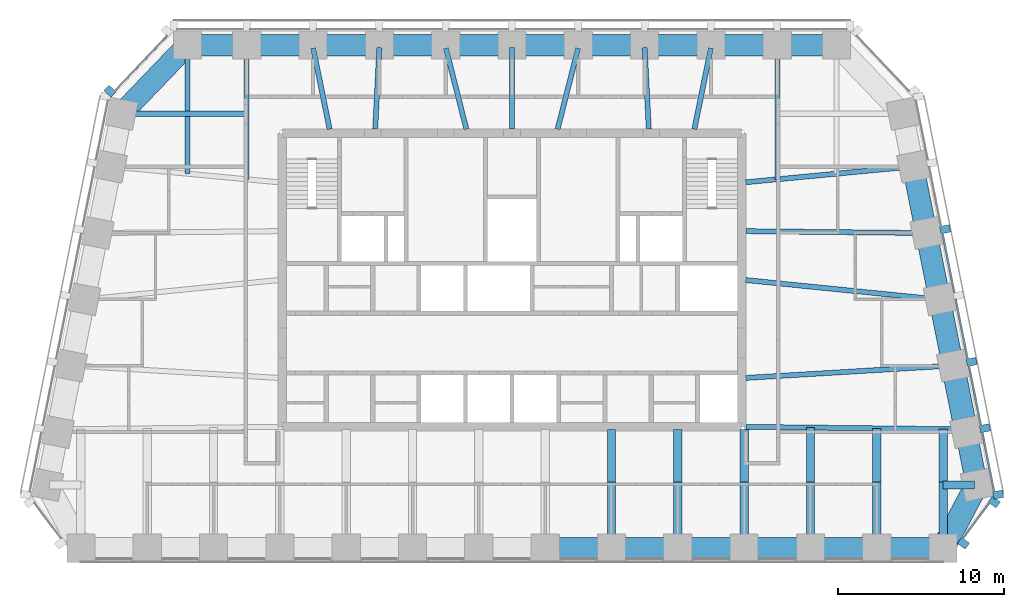
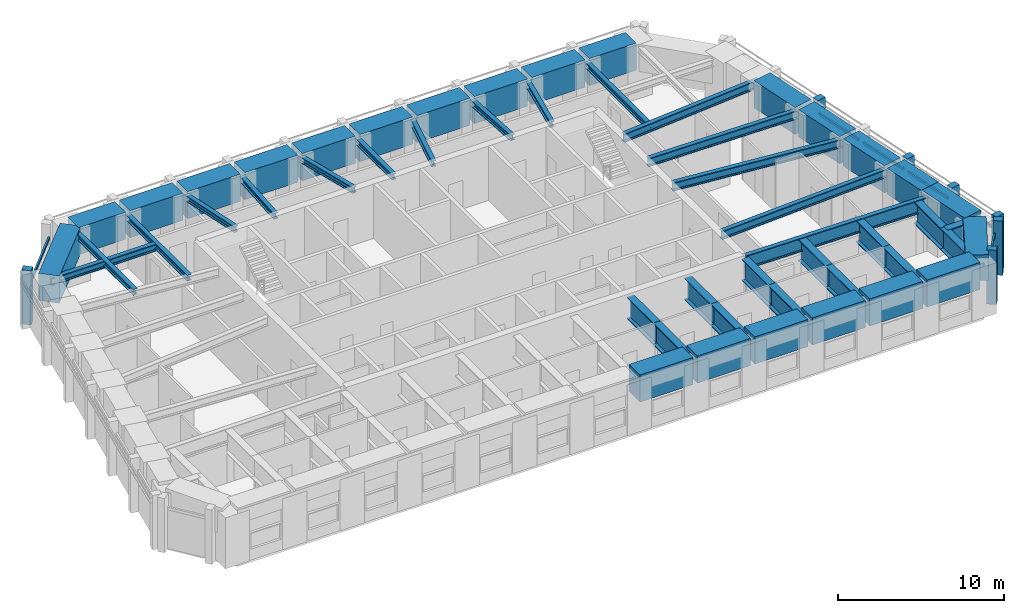
# One storey, part 2 of 12: 52 beams, 13 members, 3 elements without a shape of their own.
"""IFC4 building model written with IfcOpenShell, lengths in metres."""

from ifc_helpers import new_model, si_unit, direction, frame, origin, origin_2d, place, context, subcontext, project, spatial, rectangle, i_section, extrude, material, material_profile, profile_set, type_object, element, aggregate, save


model = new_model("IFC4")

# Units and contexts
model_context = context("Model", 3, precision=1e-05, world=origin(), true_north=direction((0.0, 1.0)))
body_context = subcontext(model_context, "Body", "Model", "MODEL_VIEW")
ifc_project = project(units=[si_unit("LENGTHUNIT", "METRE"), si_unit("AREAUNIT", "SQUARE_METRE"), si_unit("VOLUMEUNIT", "CUBIC_METRE"), si_unit("PLANEANGLEUNIT", "RADIAN"), si_unit("MASSUNIT", "GRAM", prefix="KILO")], contexts=[model_context])

# Site, building, storey
site_placement = place(None, origin())
site = spatial("IfcSite", under=ifc_project, at=site_placement, CompositionType="ELEMENT")
building_placement = place(site_placement, origin())
building = spatial("IfcBuilding", under=site, at=building_placement, Name="Isbrekke Arena Tower", CompositionType="ELEMENT")
storey_placement = place(building_placement, frame((0.0, 0.0, 304.0)))
storey = spatial("IfcBuildingStorey", under=building, at=storey_placement, Name="L71", CompositionType="ELEMENT", Elevation=304.0)

# Beams
ifc_material_1 = material(Name="Steel S355", Category="steel")
ifc_material_profile_1 = material_profile(ifc_material_1, i_section(OverallWidth=0.304931640625, OverallDepth=0.6201171875, WebThickness=0.02099609375, FlangeThickness=0.0400390625, FilletRadius=0.027099609375, at=origin_2d()), Name="HEM 600")
ifc_profile_set_1 = profile_set([ifc_material_profile_1], Name="Steel S355")
beam_type_1 = type_object("IfcBeamType", Name="B4 HEM 600", PredefinedType="BEAM", material=ifc_profile_set_1)
beam_1_placement = place(storey_placement, frame((26.431884765625, 9.837646484375, 3.5400390625), z_axis=(-0.998216240514, -0.059702070095, 0.0), x_axis=(0.059702070095, -0.998216240514, 0.0)))
element("IfcBeam", 1, at=beam_1_placement, inside=storey, type_object=beam_type_1, Name="B4 beam E-E03 L71", PredefinedType="BEAM", context=body_context, shape_type="SweptSolid", body=[
    extrude(i_section(OverallWidth=0.304931640625, OverallDepth=0.6201171875, WebThickness=0.02099609375, FlangeThickness=0.0400390625, FilletRadius=0.027099609375, at=origin_2d()), origin(), (0.0, 0.0, 1.0), 12.353759765625),
])
beam_2_placement = place(storey_placement, frame((25.625732421875, 13.83984375, 3.5400390625), z_axis=(-0.994972081505, 0.100152668587, 0.0), x_axis=(-0.100152668587, -0.994972081505, 0.0)))
element("IfcBeam", 2, at=beam_2_placement, inside=storey, type_object=beam_type_1, Name="B4 beam E-E04 L71", PredefinedType="BEAM", context=body_context, shape_type="SweptSolid", body=[
    extrude(i_section(OverallWidth=0.304931640625, OverallDepth=0.6201171875, WebThickness=0.02099609375, FlangeThickness=0.0400390625, FilletRadius=0.027099609375, at=origin_2d()), origin(), (0.0, 0.0, 1.0), 11.583984375),
])
beam_3_placement = place(storey_placement, frame((24.83935546875, 17.838134765625, 3.5400390625), z_axis=(-0.999945800258, 0.010411366203, 0.0), x_axis=(-0.010411366203, -0.999945800258, 0.0)))
element("IfcBeam", 3, at=beam_3_placement, inside=storey, type_object=beam_type_1, Name="B4 beam E-E05 L71", PredefinedType="BEAM", context=body_context, shape_type="SweptSolid", body=[
    extrude(i_section(OverallWidth=0.304931640625, OverallDepth=0.6201171875, WebThickness=0.02099609375, FlangeThickness=0.0400390625, FilletRadius=0.027099609375, at=origin_2d()), origin(), (0.0, 0.0, 1.0), 10.73974609375),
])
beam_4_placement = place(storey_placement, frame((24.02685546875, 21.8369140625, 3.5400390625), z_axis=(-0.995574576627, -0.093974796485, 0.0), x_axis=(0.093974796485, -0.995574576627, 0.0)))
element("IfcBeam", 4, at=beam_4_placement, inside=storey, type_object=beam_type_1, Name="B4 beam E-E06 L71", PredefinedType="BEAM", context=body_context, shape_type="SweptSolid", body=[
    extrude(i_section(OverallWidth=0.304931640625, OverallDepth=0.6201171875, WebThickness=0.02099609375, FlangeThickness=0.0400390625, FilletRadius=0.027099609375, at=origin_2d()), origin(), (0.0, 0.0, 1.0), 9.970947265625),
])
ifc_material_2 = material(Name="Steel S355", Category="steel")
ifc_material_profile_2 = material_profile(ifc_material_2, i_section(OverallWidth=0.305908203125, OverallDepth=0.52392578125, WebThickness=0.02099609375, FlangeThickness=0.0400390625, FilletRadius=0.027099609375, at=origin_2d()), Name="HEM 500")
ifc_profile_set_2 = profile_set([ifc_material_profile_2], Name="Steel S355")
beam_type_2 = type_object("IfcBeamType", Name="B5 HEM 500", PredefinedType="BEAM", material=ifc_profile_set_2)
beam_5_placement = place(storey_placement, frame((-23.40283203125, 25.029296875, 3.587890625), z_axis=(1.0, 0.0, 0.0), x_axis=(0.0, 1.0, 0.0)))
element("IfcBeam", 5, at=beam_5_placement, inside=storey, type_object=beam_type_2, Name="B5 beam E-W01 L71", PredefinedType="BEAM", context=body_context, shape_type="SweptSolid", body=[
    extrude(i_section(OverallWidth=0.305908203125, OverallDepth=0.52392578125, WebThickness=0.02099609375, FlangeThickness=0.0400390625, FilletRadius=0.027099609375, at=origin_2d()), origin(), (0.0, 0.0, 1.0), 7.40283203125),
])
ifc_material_3 = material(Name="Steel S355", Category="steel")
ifc_material_profile_3 = material_profile(ifc_material_3, i_section(OverallWidth=0.306884765625, OverallDepth=0.431884765625, WebThickness=0.02099609375, FlangeThickness=0.0400390625, FilletRadius=0.027099609375, at=origin_2d()), Name="HEM 400")
ifc_profile_set_3 = profile_set([ifc_material_profile_3], Name="Steel S355")
beam_type_3 = type_object("IfcBeamType", Name="B6 HEM 400", PredefinedType="BEAM", material=ifc_profile_set_3)
for number, where, z_axis, x_axis, name in (
    (6, (16.0, 29.02490234375, 3.634033203125), (0.0, -1.0, 0.0), (1.0, 0.0, 0.0), "B6 beam N-N02 L71"),
    (7, (-16.0, 29.02490234375, 3.634033203125), (0.0, -1.0, 0.0), (1.0, 0.0, 0.0), "B6 beam N-N10 L71"),
):
    element("IfcBeam", number, at=place(storey_placement, frame(where, z_axis=z_axis, x_axis=x_axis)), inside=storey, type_object=beam_type_3, Name=name, PredefinedType="BEAM", context=body_context, shape_type="SweptSolid", body=[
        extrude(i_section(OverallWidth=0.306884765625, OverallDepth=0.431884765625, WebThickness=0.02099609375, FlangeThickness=0.0400390625, FilletRadius=0.027099609375, at=origin_2d()), origin(), (0.0, 0.0, 1.0), 7.945556640625),
    ])
beam_6_placement = place(storey_placement, frame((-19.574951171875, 29.02490234375, 3.634033203125), z_axis=(0.0, -1.0, 0.0), x_axis=(1.0, 0.0, 0.0)))
element("IfcBeam", 8, at=beam_6_placement, inside=storey, type_object=beam_type_3, Name="B6 beam N-N11 L71", PredefinedType="BEAM", context=body_context, shape_type="SweptSolid", body=[
    extrude(i_section(OverallWidth=0.306884765625, OverallDepth=0.431884765625, WebThickness=0.02099609375, FlangeThickness=0.0400390625, FilletRadius=0.027099609375, at=origin_2d()), origin(), (0.0, 0.0, 1.0), 7.608154296875),
])
beam_7_placement = place(storey_placement, frame((11.993896484375, 28.9951171875, 3.634033203125), z_axis=(-0.198982177337, -0.980003108721, 0.0), x_axis=(0.980003108721, -0.198982177337, 0.0)))
element("IfcBeam", 9, at=beam_7_placement, inside=storey, type_object=beam_type_3, Name="B6 beam N-N03 L71", PredefinedType="BEAM", context=body_context, shape_type="SweptSolid", body=[
    extrude(i_section(OverallWidth=0.306884765625, OverallDepth=0.431884765625, WebThickness=0.02099609375, FlangeThickness=0.0400390625, FilletRadius=0.027099609375, at=origin_2d()), origin(), (0.0, 0.0, 1.0), 4.994873046875),
])
beam_8_placement = place(storey_placement, frame((8.00048828125, 29.017333984375, 3.634033203125), z_axis=(0.050677067868, -0.998715091902, 0.0), x_axis=(0.998715091902, 0.050677067868, 0.0)))
element("IfcBeam", 10, at=beam_8_placement, inside=storey, type_object=beam_type_3, Name="B6 beam N-N04 L71", PredefinedType="BEAM", context=body_context, shape_type="SweptSolid", body=[
    extrude(i_section(OverallWidth=0.306884765625, OverallDepth=0.431884765625, WebThickness=0.02099609375, FlangeThickness=0.0400390625, FilletRadius=0.027099609375, at=origin_2d()), origin(), (0.0, 0.0, 1.0), 4.923583984375),
])
beam_9_placement = place(storey_placement, frame((3.99072265625, 28.98828125, 3.634033203125), z_axis=(-0.246019579109, -0.969264858898, 0.0), x_axis=(0.969264858898, -0.246019579109, 0.0)))
element("IfcBeam", 11, at=beam_9_placement, inside=storey, type_object=beam_type_3, Name="B6 beam N-N05 L71", PredefinedType="BEAM", context=body_context, shape_type="SweptSolid", body=[
    extrude(i_section(OverallWidth=0.306884765625, OverallDepth=0.431884765625, WebThickness=0.02099609375, FlangeThickness=0.0400390625, FilletRadius=0.027099609375, at=origin_2d()), origin(), (0.0, 0.0, 1.0), 5.043212890625),
])
beam_10_placement = place(storey_placement, frame((0.0, 29.02490234375, 3.634033203125), z_axis=(0.0, -1.0, 0.0), x_axis=(1.0, 0.0, 0.0)))
element("IfcBeam", 12, at=beam_10_placement, inside=storey, type_object=beam_type_3, Name="B6 beam N-N06 L71", PredefinedType="BEAM", context=body_context, shape_type="SweptSolid", body=[
    extrude(i_section(OverallWidth=0.306884765625, OverallDepth=0.431884765625, WebThickness=0.02099609375, FlangeThickness=0.0400390625, FilletRadius=0.027099609375, at=origin_2d()), origin(), (0.0, 0.0, 1.0), 4.9248046875),
])
beam_11_placement = place(storey_placement, frame((-3.99072265625, 28.98828125, 3.634033203125), z_axis=(0.246019579109, -0.969264858898, 0.0), x_axis=(0.969264858898, 0.246019579109, 0.0)))
element("IfcBeam", 13, at=beam_11_placement, inside=storey, type_object=beam_type_3, Name="B6 beam N-N07 L71", PredefinedType="BEAM", context=body_context, shape_type="SweptSolid", body=[
    extrude(i_section(OverallWidth=0.306884765625, OverallDepth=0.431884765625, WebThickness=0.02099609375, FlangeThickness=0.0400390625, FilletRadius=0.027099609375, at=origin_2d()), origin(), (0.0, 0.0, 1.0), 5.043212890625),
])
beam_12_placement = place(storey_placement, frame((-8.00048828125, 29.017333984375, 3.634033203125), z_axis=(-0.050677067868, -0.998715091902, 0.0), x_axis=(0.998715091902, -0.050677067868, 0.0)))
element("IfcBeam", 14, at=beam_12_placement, inside=storey, type_object=beam_type_3, Name="B6 beam N-N08 L71", PredefinedType="BEAM", context=body_context, shape_type="SweptSolid", body=[
    extrude(i_section(OverallWidth=0.306884765625, OverallDepth=0.431884765625, WebThickness=0.02099609375, FlangeThickness=0.0400390625, FilletRadius=0.027099609375, at=origin_2d()), origin(), (0.0, 0.0, 1.0), 4.923583984375),
])
beam_13_placement = place(storey_placement, frame((-11.993896484375, 28.9951171875, 3.634033203125), z_axis=(0.198982177337, -0.980003108721, 0.0), x_axis=(0.980003108721, 0.198982177337, 0.0)))
element("IfcBeam", 15, at=beam_13_placement, inside=storey, type_object=beam_type_3, Name="B6 beam N-N09 L71", PredefinedType="BEAM", context=body_context, shape_type="SweptSolid", body=[
    extrude(i_section(OverallWidth=0.306884765625, OverallDepth=0.431884765625, WebThickness=0.02099609375, FlangeThickness=0.0400390625, FilletRadius=0.027099609375, at=origin_2d()), origin(), (0.0, 0.0, 1.0), 4.994873046875),
])

# Curtain wall, members
ifc_material_4 = material(Name="Glazed aluminium curtain wall", Category="aluminium")
curtain_wall_type = type_object("IfcCurtainWallType", Name="CWT TOWER CURTAIN WALL TOP ZONE", PredefinedType="USERDEFINED", material=ifc_material_4)
curtain_wall_1_placement = place(storey_placement, origin())
curtain_wall_1 = element("IfcCurtainWall", 16, at=curtain_wall_1_placement, inside=storey, type_object=curtain_wall_type, Name="CWT curtain wall L71-SE", ObjectType="TOWER CURTAIN WALL TOP ZONE", PredefinedType="USERDEFINED")
ifc_material_5 = material(Name="Copper-clad aluminium mullion", Category="aluminium")
ifc_material_profile_4 = material_profile(ifc_material_5, rectangle(XDim=0.449951171875, YDim=0.60009765625, at=origin_2d()), Name="PIER 450X600")
ifc_profile_set_4 = profile_set([ifc_material_profile_4], Name="Copper-clad aluminium mullion")
member_type_1 = type_object("IfcMemberType", Name="CWT-M PIER MULLION 450 x 600", PredefinedType="MULLION", material=ifc_profile_set_4)
member_1_placement = place(storey_placement, frame((27.222900390625, -0.869384765625, 0.0), z_axis=(0.0, 0.0, 1.0), x_axis=(0.600000000002, 0.799999999998, 0.0)))
member_1 = element("IfcMember", 17, at=member_1_placement, type_object=member_type_1, Name="CWT-M mullion 1", PredefinedType="MULLION", context=body_context, shape_type="SweptSolid", body=[
    extrude(rectangle(XDim=0.449951171875, YDim=0.60009765625, at=origin_2d()), origin(), (0.0, 0.0, 1.0), 4.0),
])
member_2_placement = place(storey_placement, frame((29.084716796875, 1.613037109375, 0.0), z_axis=(0.0, 0.0, 1.0), x_axis=(0.600000000002, 0.799999999998, 0.0)))
member_2 = element("IfcMember", 18, at=member_2_placement, type_object=member_type_1, Name="CWT-M mullion 2", PredefinedType="MULLION", context=body_context, shape_type="SweptSolid", body=[
    extrude(rectangle(XDim=0.449951171875, YDim=0.60009765625, at=origin_2d()), origin(), (0.0, 0.0, 1.0), 4.0),
])

curtain_wall_2_placement = place(storey_placement, origin())
curtain_wall_2 = element("IfcCurtainWall", 19, at=curtain_wall_2_placement, inside=storey, type_object=curtain_wall_type, Name="CWT curtain wall L71-E", ObjectType="TOWER CURTAIN WALL TOP ZONE", PredefinedType="USERDEFINED")
member_3_placement = place(storey_placement, frame((29.318603515625, 2.063720703125, 0.0), z_axis=(0.0, 0.0, 1.0), x_axis=(-0.196116135138, 0.980580675691, 0.0)))
member_3 = element("IfcMember", 20, at=member_3_placement, type_object=member_type_1, Name="CWT-M mullion 1", PredefinedType="MULLION", context=body_context, shape_type="SweptSolid", body=[
    extrude(rectangle(XDim=0.449951171875, YDim=0.60009765625, at=origin_2d()), origin(), (0.0, 0.0, 1.0), 4.0),
])
member_4_placement = place(storey_placement, frame((28.518798828125, 6.063720703125, 0.0), z_axis=(0.0, 0.0, 1.0), x_axis=(-0.196116135138, 0.980580675691, 0.0)))
member_4 = element("IfcMember", 21, at=member_4_placement, type_object=member_type_1, Name="CWT-M mullion 2", PredefinedType="MULLION", context=body_context, shape_type="SweptSolid", body=[
    extrude(rectangle(XDim=0.449951171875, YDim=0.60009765625, at=origin_2d()), origin(), (0.0, 0.0, 1.0), 4.0),
])
member_5_placement = place(storey_placement, frame((27.71875, 10.063720703125, 0.0), z_axis=(0.0, 0.0, 1.0), x_axis=(-0.196116135138, 0.980580675691, 0.0)))
member_5 = element("IfcMember", 22, at=member_5_placement, type_object=member_type_1, Name="CWT-M mullion 3", PredefinedType="MULLION", context=body_context, shape_type="SweptSolid", body=[
    extrude(rectangle(XDim=0.449951171875, YDim=0.60009765625, at=origin_2d()), origin(), (0.0, 0.0, 1.0), 4.0),
])
member_6_placement = place(storey_placement, frame((26.11865234375, 18.063720703125, 0.0), z_axis=(0.0, 0.0, 1.0), x_axis=(-0.196116135138, 0.980580675691, 0.0)))
member_6 = element("IfcMember", 23, at=member_6_placement, type_object=member_type_1, Name="CWT-M mullion 5", PredefinedType="MULLION", context=body_context, shape_type="SweptSolid", body=[
    extrude(rectangle(XDim=0.449951171875, YDim=0.60009765625, at=origin_2d()), origin(), (0.0, 0.0, 1.0), 4.0),
])

# Curtain wall, member
curtain_wall_3_placement = place(storey_placement, origin())
curtain_wall_3 = element("IfcCurtainWall", 24, at=curtain_wall_3_placement, inside=storey, type_object=curtain_wall_type, Name="CWT curtain wall L71-NW", ObjectType="TOWER CURTAIN WALL TOP ZONE", PredefinedType="USERDEFINED")
member_7_placement = place(storey_placement, frame((-24.243896484375, 26.389404296875, 0.0), z_axis=(0.0, 0.0, 1.0), x_axis=(-0.68874946192, -0.72499943359, 0.0)))
member_7 = element("IfcMember", 25, at=member_7_placement, type_object=member_type_1, Name="CWT-M mullion 2", PredefinedType="MULLION", context=body_context, shape_type="SweptSolid", body=[
    extrude(rectangle(XDim=0.449951171875, YDim=0.60009765625, at=origin_2d()), origin(), (0.0, 0.0, 1.0), 4.0),
])

# Member
ifc_material_6 = material(Name="Aluminium transom", Category="aluminium")
ifc_material_profile_5 = material_profile(ifc_material_6, rectangle(XDim=0.1201171875, YDim=0.199951171875, at=origin_2d()), Name="TRANSOM 120X200")
ifc_profile_set_5 = profile_set([ifc_material_profile_5], Name="Aluminium transom")
member_type_2 = type_object("IfcMemberType", Name="CWT-T TRANSOM 120 x 200", PredefinedType="USERDEFINED", material=ifc_profile_set_5)
member_8_placement = place(storey_placement, frame((27.197998046875, -0.5693359375, 3.0), z_axis=(0.600014724186, 0.799988956649, 0.0), x_axis=(-0.799988956649, 0.600014724186, 0.0)))
member_8 = element("IfcMember", 26, at=member_8_placement, type_object=member_type_2, Name="CWT-T transom 1", ObjectType="TRANSOM", PredefinedType="USERDEFINED", context=body_context, shape_type="SweptSolid", body=[
    extrude(rectangle(XDim=0.1201171875, YDim=0.199951171875, at=origin_2d()), origin(), (0.0, 0.0, 1.0), 2.65283203125),
])

aggregate(curtain_wall_1, [member_1, member_2, member_8])

member_9_placement = place(storey_placement, frame((29.078369140625, 2.2451171875, 3.0), z_axis=(-0.196090262229, 0.980585849918, 0.0), x_axis=(-0.980585849918, -0.196090262229, 0.0)))
member_9 = element("IfcMember", 27, at=member_9_placement, type_object=member_type_2, Name="CWT-T transom 1", ObjectType="TRANSOM", PredefinedType="USERDEFINED", context=body_context, shape_type="SweptSolid", body=[
    extrude(rectangle(XDim=0.1201171875, YDim=0.199951171875, at=origin_2d()), origin(), (0.0, 0.0, 1.0), 3.62939453125),
])

member_10_placement = place(storey_placement, frame((28.278564453125, 6.2451171875, 3.0), z_axis=(-0.196154943734, 0.980572913173, 0.0), x_axis=(-0.980572913173, -0.196154943734, 0.0)))
member_10 = element("IfcMember", 28, at=member_10_placement, type_object=member_type_2, Name="CWT-T transom 2", ObjectType="TRANSOM", PredefinedType="USERDEFINED", context=body_context, shape_type="SweptSolid", body=[
    extrude(rectangle(XDim=0.1201171875, YDim=0.199951171875, at=origin_2d()), origin(), (0.0, 0.0, 1.0), 3.62939453125),
])

member_11_placement = place(storey_placement, frame((27.478515625, 10.2451171875, 3.0), z_axis=(-0.196154943734, 0.980572913173, 0.0), x_axis=(-0.980572913173, -0.196154943734, 0.0)))
member_11 = element("IfcMember", 29, at=member_11_placement, type_object=member_type_2, Name="CWT-T transom 3", ObjectType="TRANSOM", PredefinedType="USERDEFINED", context=body_context, shape_type="SweptSolid", body=[
    extrude(rectangle(XDim=0.1201171875, YDim=0.199951171875, at=origin_2d()), origin(), (0.0, 0.0, 1.0), 3.62939453125),
])

member_12_placement = place(storey_placement, frame((26.678466796875, 14.2451171875, 3.0), z_axis=(-0.196090262229, 0.980585849918, 0.0), x_axis=(-0.980585849918, -0.196090262229, 0.0)))
member_12 = element("IfcMember", 30, at=member_12_placement, type_object=member_type_2, Name="CWT-T transom 4", ObjectType="TRANSOM", PredefinedType="USERDEFINED", context=body_context, shape_type="SweptSolid", body=[
    extrude(rectangle(XDim=0.1201171875, YDim=0.199951171875, at=origin_2d()), origin(), (0.0, 0.0, 1.0), 3.62939453125),
])

aggregate(curtain_wall_2, [member_3, member_4, member_5, member_6, member_9, member_10, member_11, member_12])

member_13_placement = place(storey_placement, frame((-20.80517578125, 29.71875, 3.0), z_axis=(-0.688739606035, -0.725008796552, 0.0), x_axis=(0.725008796552, -0.688739606035, 0.0)))
member_13 = element("IfcMember", 31, at=member_13_placement, type_object=member_type_2, Name="CWT-T transom 1", ObjectType="TRANSOM", PredefinedType="USERDEFINED", context=body_context, shape_type="SweptSolid", body=[
    extrude(rectangle(XDim=0.1201171875, YDim=0.199951171875, at=origin_2d()), origin(), (0.0, 0.0, 1.0), 4.55712890625),
])

aggregate(curtain_wall_3, [member_7, member_13])

# Beams
ifc_material_7 = material(Name="Steel S355", Category="steel")
ifc_material_profile_6 = material_profile(ifc_material_7, i_section(OverallWidth=0.302001953125, OverallDepth=1.008056640625, WebThickness=0.02099609375, FlangeThickness=0.0400390625, FilletRadius=0.030029296875, at=origin_2d()), Name="HEM 1000")
ifc_profile_set_6 = profile_set([ifc_material_profile_6], Name="Steel S355")
beam_type_4 = type_object("IfcBeamType", Name="G2 HEM 1000", PredefinedType="BEAM", material=ifc_profile_set_6)
beam_14_placement = place(storey_placement, frame((14.10009765625, 6.14990234375, 3.345947265625), z_axis=(0.999936387749, -0.011279204565, 0.0), x_axis=(0.011279204565, 0.999936387749, 0.0)))
element("IfcBeam", 32, at=beam_14_placement, inside=storey, type_object=beam_type_4, Name="G2 beam G2-E L71", PredefinedType="BEAM", context=body_context, shape_type="SweptSolid", body=[
    extrude(i_section(OverallWidth=0.302001953125, OverallDepth=1.008056640625, WebThickness=0.02099609375, FlangeThickness=0.0400390625, FilletRadius=0.030029296875, at=origin_2d()), origin(), (0.0, 0.0, 1.0), 13.2900390625),
])
ifc_material_8 = material(Name="Concrete B55 (C55/67)", Category="concrete")
ifc_material_profile_7 = material_profile(ifc_material_8, rectangle(XDim=1.300048828125, YDim=2.0, at=origin_2d()), Name="RC 1300x2000")
ifc_profile_set_7 = profile_set([ifc_material_profile_7], Name="Concrete B55 (C55/67)")
beam_type_5 = type_object("IfcBeamType", Name="SB4 RC 1300 x 2000", PredefinedType="SPANDREL", material=ifc_profile_set_7)
for number, where, z_axis, x_axis, name in (
    (33, (2.14990234375, -1.175048828125, 3.0), (1.0, 0.0, 0.0), (0.0, 1.0, 0.0), "SB4 spandrel S08-S09 L71"),
    (34, (6.14990234375, -1.175048828125, 3.0), (1.0, 0.0, 0.0), (0.0, 1.0, 0.0), "SB4 spandrel S09-S10 L71"),
    (35, (10.14990234375, -1.175048828125, 3.0), (1.0, 0.0, 0.0), (0.0, 1.0, 0.0), "SB4 spandrel S10-S11 L71"),
    (36, (14.14990234375, -1.175048828125, 3.0), (1.0, 0.0, 0.0), (0.0, 1.0, 0.0), "SB4 spandrel S11-S12 L71"),
    (37, (18.14990234375, -1.175048828125, 3.0), (1.0, 0.0, 0.0), (0.0, 1.0, 0.0), "SB4 spandrel S12-S13 L71"),
    (38, (22.14990234375, -1.175048828125, 3.0), (1.0, 0.0, 0.0), (0.0, 1.0, 0.0), "SB4 spandrel S13-S14 L71"),
):
    element("IfcBeam", number, at=place(storey_placement, frame(where, z_axis=z_axis, x_axis=x_axis)), inside=storey, type_object=beam_type_5, Name=name, PredefinedType="SPANDREL", context=body_context, shape_type="SweptSolid", body=[
        extrude(rectangle(XDim=1.300048828125, YDim=2.0, at=origin_2d()), origin(), (0.0, 0.0, 1.0), 3.7001953125),
    ])
beam_15_placement = place(storey_placement, frame((27.999755859375, 2.794189453125, 3.0), z_axis=(-0.196092237713, 0.980585454873, 0.0), x_axis=(-0.980585454873, -0.196092237713, 0.0)))
element("IfcBeam", 39, at=beam_15_placement, inside=storey, type_object=beam_type_5, Name="SB4 spandrel E01-E02 L71", PredefinedType="SPANDREL", context=body_context, shape_type="SweptSolid", body=[
    extrude(rectangle(XDim=1.300048828125, YDim=2.0, at=origin_2d()), origin(), (0.0, 0.0, 1.0), 3.92919921875),
])
beam_16_placement = place(storey_placement, frame((26.5615234375, 9.9853515625, 3.0), z_axis=(-0.1960664412, 0.980590613169, 0.0), x_axis=(-0.980590613169, -0.1960664412, 0.0)))
element("IfcBeam", 40, at=beam_16_placement, inside=storey, type_object=beam_type_5, Name="SB4 spandrel E03-E04 L71", PredefinedType="SPANDREL", context=body_context, shape_type="SweptSolid", body=[
    extrude(rectangle(XDim=1.300048828125, YDim=2.0, at=origin_2d()), origin(), (0.0, 0.0, 1.0), 3.779052734375),
])
for number, where, z_axis, x_axis, name in (
    (41, (25.76171875, 13.9853515625, 3.0), (-0.196128558387, 0.980578190959, 0.0), (-0.980578190959, -0.196128558387, 0.0), "SB4 spandrel E04-E05 L71"),
    (42, (24.961669921875, 17.9853515625, 3.0), (-0.196128558387, 0.980578190959, 0.0), (-0.980578190959, -0.196128558387, 0.0), "SB4 spandrel E05-E06 L71"),
):
    element("IfcBeam", number, at=place(storey_placement, frame(where, z_axis=z_axis, x_axis=x_axis)), inside=storey, type_object=beam_type_5, Name=name, PredefinedType="SPANDREL", context=body_context, shape_type="SweptSolid", body=[
        extrude(rectangle(XDim=1.300048828125, YDim=2.0, at=origin_2d()), origin(), (0.0, 0.0, 1.0), 3.779296875),
    ])
beam_17_placement = place(storey_placement, frame((19.425048828125, 29.175048828125, 3.0), z_axis=(-1.0, 0.0, 0.0), x_axis=(0.0, -1.0, 0.0)))
element("IfcBeam", 43, at=beam_17_placement, inside=storey, type_object=beam_type_5, Name="SB4 spandrel N01-N02 L71", PredefinedType="SPANDREL", context=body_context, shape_type="SweptSolid", body=[
    extrude(rectangle(XDim=1.300048828125, YDim=2.0, at=origin_2d()), origin(), (0.0, 0.0, 1.0), 3.275146484375),
])
for number, where, z_axis, x_axis, name in (
    (44, (15.85009765625, 29.175048828125, 3.0), (-1.0, 0.0, 0.0), (0.0, -1.0, 0.0), "SB4 spandrel N02-N03 L71"),
    (45, (11.85009765625, 29.175048828125, 3.0), (-1.0, 0.0, 0.0), (0.0, -1.0, 0.0), "SB4 spandrel N03-N04 L71"),
    (46, (7.85009765625, 29.175048828125, 3.0), (-1.0, 0.0, 0.0), (0.0, -1.0, 0.0), "SB4 spandrel N04-N05 L71"),
    (47, (3.85009765625, 29.175048828125, 3.0), (-1.0, 0.0, 0.0), (0.0, -1.0, 0.0), "SB4 spandrel N05-N06 L71"),
    (48, (-0.14990234375, 29.175048828125, 3.0), (-1.0, 0.0, 0.0), (0.0, -1.0, 0.0), "SB4 spandrel N06-N07 L71"),
    (49, (-4.14990234375, 29.175048828125, 3.0), (-1.0, 0.0, 0.0), (0.0, -1.0, 0.0), "SB4 spandrel N07-N08 L71"),
    (50, (-8.14990234375, 29.175048828125, 3.0), (-1.0, 0.0, 0.0), (0.0, -1.0, 0.0), "SB4 spandrel N08-N09 L71"),
    (51, (-12.14990234375, 29.175048828125, 3.0), (-1.0, 0.0, 0.0), (0.0, -1.0, 0.0), "SB4 spandrel N09-N10 L71"),
):
    element("IfcBeam", number, at=place(storey_placement, frame(where, z_axis=z_axis, x_axis=x_axis)), inside=storey, type_object=beam_type_5, Name=name, PredefinedType="SPANDREL", context=body_context, shape_type="SweptSolid", body=[
        extrude(rectangle(XDim=1.300048828125, YDim=2.0, at=origin_2d()), origin(), (0.0, 0.0, 1.0), 3.7001953125),
    ])
beam_18_placement = place(storey_placement, frame((-16.14990234375, 29.175048828125, 3.0), z_axis=(-1.0, 0.0, 0.0), x_axis=(0.0, -1.0, 0.0)))
element("IfcBeam", 52, at=beam_18_placement, inside=storey, type_object=beam_type_5, Name="SB4 spandrel N10-N11 L71", PredefinedType="SPANDREL", context=body_context, shape_type="SweptSolid", body=[
    extrude(rectangle(XDim=1.300048828125, YDim=2.0, at=origin_2d()), origin(), (0.0, 0.0, 1.0), 3.275146484375),
])
beam_19_placement = place(storey_placement, frame((-19.678955078125, 29.066650390625, 3.0), z_axis=(-0.692339547635, -0.721571861134, 0.0), x_axis=(0.721571861134, -0.692339547635, 0.0)))
element("IfcBeam", 53, at=beam_19_placement, inside=storey, type_object=beam_type_5, Name="SB4 spandrel N11-W01 L71", PredefinedType="SPANDREL", context=body_context, shape_type="SweptSolid", body=[
    extrude(rectangle(XDim=1.300048828125, YDim=2.0, at=origin_2d()), origin(), (0.0, 0.0, 1.0), 5.4453125),
])
ifc_material_9 = material(Name="Concrete B55 (C55/67)", Category="concrete")
ifc_material_profile_8 = material_profile(ifc_material_9, rectangle(XDim=1.39990234375, YDim=1.89990234375, at=origin_2d()), Name="RC 1400 x 1900")
ifc_profile_set_8 = profile_set([ifc_material_profile_8], Name="Concrete B55 (C55/67)")
beam_type_6 = type_object("IfcBeamType", Name="SB5 RC 1400  x  1900", PredefinedType="SPANDREL", material=ifc_profile_set_8)
beam_20_placement = place(storey_placement, frame((26.0703125, -1.04248046875, 3.050048828125), z_axis=(0.468951332977, 0.883224007429, 0.0), x_axis=(-0.883224007429, 0.468951332977, 0.0)))
element("IfcBeam", 54, at=beam_20_placement, inside=storey, type_object=beam_type_6, Name="SB5 spandrel S14-E01 L71", PredefinedType="SPANDREL", context=body_context, shape_type="SweptSolid", body=[
    extrude(rectangle(XDim=1.39990234375, YDim=1.89990234375, at=origin_2d()), origin(), (0.0, 0.0, 1.0), 4.02734375),
])
beam_21_placement = place(storey_placement, frame((27.229248046875, 6.647216796875, 3.050048828125), z_axis=(-0.196146384009, 0.980574625432, 0.0), x_axis=(-0.980574625432, -0.196146384009, 0.0)))
element("IfcBeam", 55, at=beam_21_placement, inside=storey, type_object=beam_type_6, Name="SB5 spandrel E02-E03 L71", PredefinedType="SPANDREL", context=body_context, shape_type="SweptSolid", body=[
    extrude(rectangle(XDim=1.39990234375, YDim=1.89990234375, at=origin_2d()), origin(), (0.0, 0.0, 1.0), 3.104248046875),
])
ifc_material_10 = material(Name="Steel S355", Category="steel")
ifc_material_profile_9 = material_profile(ifc_material_10, i_section(OverallWidth=0.5, OverallDepth=1.60009765625, WebThickness=0.030029296875, FlangeThickness=0.06005859375, at=origin_2d()), Name="PG 1600x500")
ifc_profile_set_9 = profile_set([ifc_material_profile_9], Name="Steel S355")
beam_type_7 = type_object("IfcBeamType", Name="TG1 PG 1600x500", PredefinedType="BEAM", material=ifc_profile_set_9)
beam_22_placement = place(storey_placement, frame((6.0, -1.02490234375, 2.949951171875), z_axis=(0.0, 1.0, 0.0), x_axis=(-1.0, 0.0, 0.0)))
element("IfcBeam", 56, at=beam_22_placement, inside=storey, type_object=beam_type_7, Name="TG1 transfer girder C-S09 L71 part 1", PredefinedType="BEAM", context=body_context, shape_type="SweptSolid", body=[
    extrude(i_section(OverallWidth=0.5, OverallDepth=1.60009765625, WebThickness=0.030029296875, FlangeThickness=0.06005859375, at=origin_2d()), origin(), (0.0, 0.0, 1.0), 3.849853515625),
])
beam_23_placement = place(storey_placement, frame((6.0, 2.824951171875, 2.949951171875), z_axis=(0.0, 1.0, 0.0), x_axis=(-1.0, 0.0, 0.0)))
element("IfcBeam", 57, at=beam_23_placement, inside=storey, type_object=beam_type_7, Name="TG1 transfer girder C-S09 L71 part 2", PredefinedType="BEAM", context=body_context, shape_type="SweptSolid", body=[
    extrude(i_section(OverallWidth=0.5, OverallDepth=1.60009765625, WebThickness=0.030029296875, FlangeThickness=0.06005859375, at=origin_2d()), origin(), (0.0, 0.0, 1.0), 3.175048828125),
])
beam_24_placement = place(storey_placement, frame((10.0, -1.02490234375, 2.949951171875), z_axis=(0.0, 1.0, 0.0), x_axis=(-1.0, 0.0, 0.0)))
element("IfcBeam", 58, at=beam_24_placement, inside=storey, type_object=beam_type_7, Name="TG1 transfer girder C-S10 L71 part 1", PredefinedType="BEAM", context=body_context, shape_type="SweptSolid", body=[
    extrude(i_section(OverallWidth=0.5, OverallDepth=1.60009765625, WebThickness=0.030029296875, FlangeThickness=0.06005859375, at=origin_2d()), origin(), (0.0, 0.0, 1.0), 3.849853515625),
])
beam_25_placement = place(storey_placement, frame((10.0, 2.824951171875, 2.949951171875), z_axis=(0.0, 1.0, 0.0), x_axis=(-1.0, 0.0, 0.0)))
element("IfcBeam", 59, at=beam_25_placement, inside=storey, type_object=beam_type_7, Name="TG1 transfer girder C-S10 L71 part 2", PredefinedType="BEAM", context=body_context, shape_type="SweptSolid", body=[
    extrude(i_section(OverallWidth=0.5, OverallDepth=1.60009765625, WebThickness=0.030029296875, FlangeThickness=0.06005859375, at=origin_2d()), origin(), (0.0, 0.0, 1.0), 3.175048828125),
])
beam_26_placement = place(storey_placement, frame((14.0, -1.02490234375, 2.949951171875), z_axis=(0.0, 1.0, 0.0), x_axis=(-1.0, 0.0, 0.0)))
element("IfcBeam", 60, at=beam_26_placement, inside=storey, type_object=beam_type_7, Name="TG1 transfer girder C-S11 L71 part 1", PredefinedType="BEAM", context=body_context, shape_type="SweptSolid", body=[
    extrude(i_section(OverallWidth=0.5, OverallDepth=1.60009765625, WebThickness=0.030029296875, FlangeThickness=0.06005859375, at=origin_2d()), origin(), (0.0, 0.0, 1.0), 3.849853515625),
])
beam_27_placement = place(storey_placement, frame((14.0, 2.824951171875, 2.949951171875), z_axis=(0.0, 1.0, 0.0), x_axis=(-1.0, 0.0, 0.0)))
element("IfcBeam", 61, at=beam_27_placement, inside=storey, type_object=beam_type_7, Name="TG1 transfer girder C-S11 L71 part 2", PredefinedType="BEAM", context=body_context, shape_type="SweptSolid", body=[
    extrude(i_section(OverallWidth=0.5, OverallDepth=1.60009765625, WebThickness=0.030029296875, FlangeThickness=0.06005859375, at=origin_2d()), origin(), (0.0, 0.0, 1.0), 3.175048828125),
])
beam_28_placement = place(storey_placement, frame((18.0, -1.02490234375, 2.949951171875), z_axis=(0.0, 1.0, 0.0), x_axis=(-1.0, 0.0, 0.0)))
element("IfcBeam", 62, at=beam_28_placement, inside=storey, type_object=beam_type_7, Name="TG1 transfer girder C-S12 L71 part 1", PredefinedType="BEAM", context=body_context, shape_type="SweptSolid", body=[
    extrude(i_section(OverallWidth=0.5, OverallDepth=1.60009765625, WebThickness=0.030029296875, FlangeThickness=0.06005859375, at=origin_2d()), origin(), (0.0, 0.0, 1.0), 3.849853515625),
])
beam_29_placement = place(storey_placement, frame((18.0, 2.824951171875, 2.949951171875), z_axis=(0.0, 1.0, 0.0), x_axis=(-1.0, 0.0, 0.0)))
element("IfcBeam", 63, at=beam_29_placement, inside=storey, type_object=beam_type_7, Name="TG1 transfer girder C-S12 L71 part 2", PredefinedType="BEAM", context=body_context, shape_type="SweptSolid", body=[
    extrude(i_section(OverallWidth=0.5, OverallDepth=1.60009765625, WebThickness=0.030029296875, FlangeThickness=0.06005859375, at=origin_2d()), origin(), (0.0, 0.0, 1.0), 3.281005859375),
])
beam_30_placement = place(storey_placement, frame((22.0, -1.02490234375, 2.949951171875), z_axis=(0.0, 1.0, 0.0), x_axis=(-1.0, 0.0, 0.0)))
element("IfcBeam", 64, at=beam_30_placement, inside=storey, type_object=beam_type_7, Name="TG1 transfer girder C-S13 L71 part 1", PredefinedType="BEAM", context=body_context, shape_type="SweptSolid", body=[
    extrude(i_section(OverallWidth=0.5, OverallDepth=1.60009765625, WebThickness=0.030029296875, FlangeThickness=0.06005859375, at=origin_2d()), origin(), (0.0, 0.0, 1.0), 3.849853515625),
])
beam_31_placement = place(storey_placement, frame((22.0, 2.824951171875, 2.949951171875), z_axis=(0.0, 1.0, 0.0), x_axis=(-1.0, 0.0, 0.0)))
element("IfcBeam", 65, at=beam_31_placement, inside=storey, type_object=beam_type_7, Name="TG1 transfer girder C-S13 L71 part 2", PredefinedType="BEAM", context=body_context, shape_type="SweptSolid", body=[
    extrude(i_section(OverallWidth=0.5, OverallDepth=1.60009765625, WebThickness=0.030029296875, FlangeThickness=0.06005859375, at=origin_2d()), origin(), (0.0, 0.0, 1.0), 3.23583984375),
])
beam_32_placement = place(storey_placement, frame((26.0, -1.02490234375, 2.949951171875), z_axis=(0.0, 1.0, 0.0), x_axis=(-1.0, 0.0, 0.0)))
element("IfcBeam", 66, at=beam_32_placement, inside=storey, type_object=beam_type_7, Name="TG1 transfer girder C-S14 L71 part 1", PredefinedType="BEAM", context=body_context, shape_type="SweptSolid", body=[
    extrude(i_section(OverallWidth=0.5, OverallDepth=1.60009765625, WebThickness=0.030029296875, FlangeThickness=0.06005859375, at=origin_2d()), origin(), (0.0, 0.0, 1.0), 3.849853515625),
])
beam_33_placement = place(storey_placement, frame((26.0, 2.824951171875, 2.949951171875), z_axis=(0.0, 1.0, 0.0), x_axis=(-1.0, 0.0, 0.0)))
element("IfcBeam", 67, at=beam_33_placement, inside=storey, type_object=beam_type_7, Name="TG1 transfer girder C-S14 L71 part 2", PredefinedType="BEAM", context=body_context, shape_type="SweptSolid", body=[
    extrude(i_section(OverallWidth=0.5, OverallDepth=1.60009765625, WebThickness=0.030029296875, FlangeThickness=0.06005859375, at=origin_2d()), origin(), (0.0, 0.0, 1.0), 3.190673828125),
])
beam_34_placement = place(storey_placement, frame((27.879150390625, 2.647216796875, 2.949951171875), z_axis=(-1.0, 0.0, 0.0), x_axis=(0.0, -1.0, 0.0)))
element("IfcBeam", 68, at=beam_34_placement, inside=storey, type_object=beam_type_7, Name="TG1 transfer girder E-E01 L71", PredefinedType="BEAM", context=body_context, shape_type="SweptSolid", body=[
    extrude(i_section(OverallWidth=0.5, OverallDepth=1.60009765625, WebThickness=0.030029296875, FlangeThickness=0.06005859375, at=origin_2d()), origin(), (0.0, 0.0, 1.0), 1.879150390625),
])

save(model, "model.ifc")
